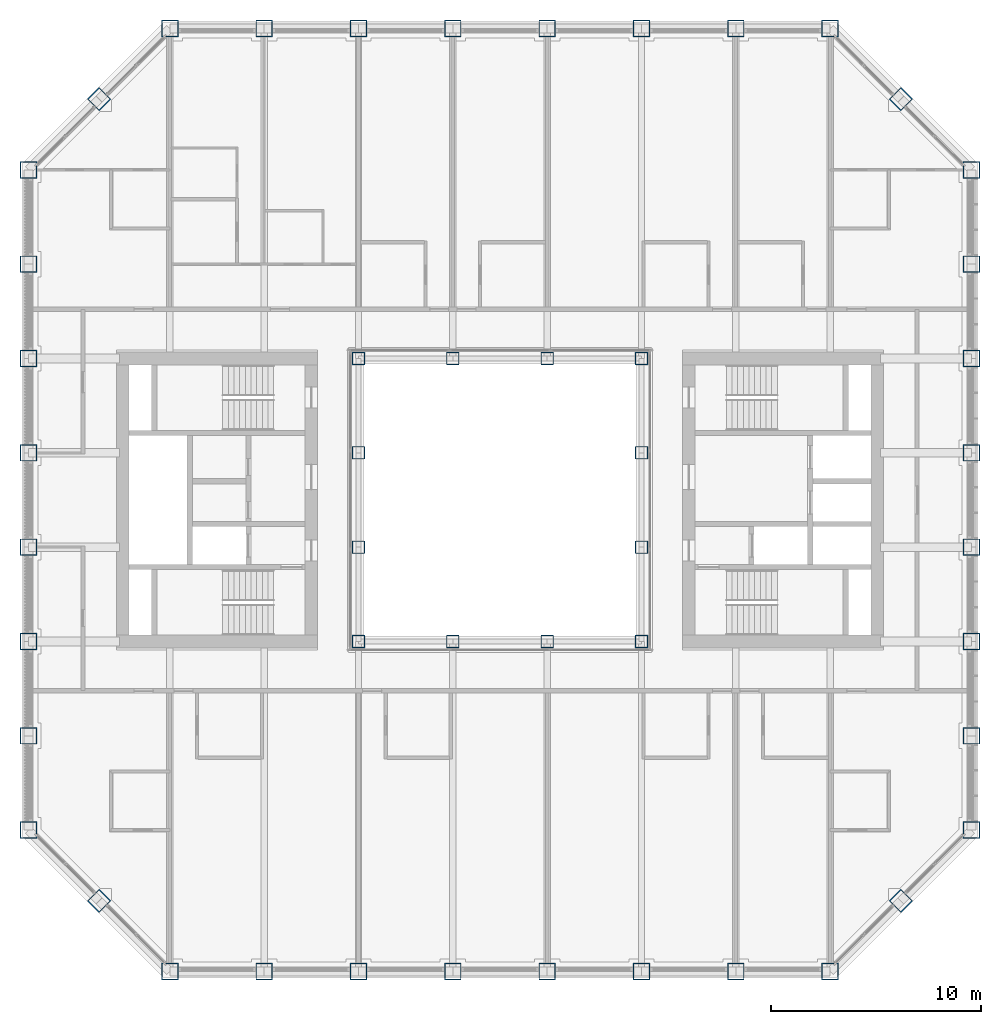
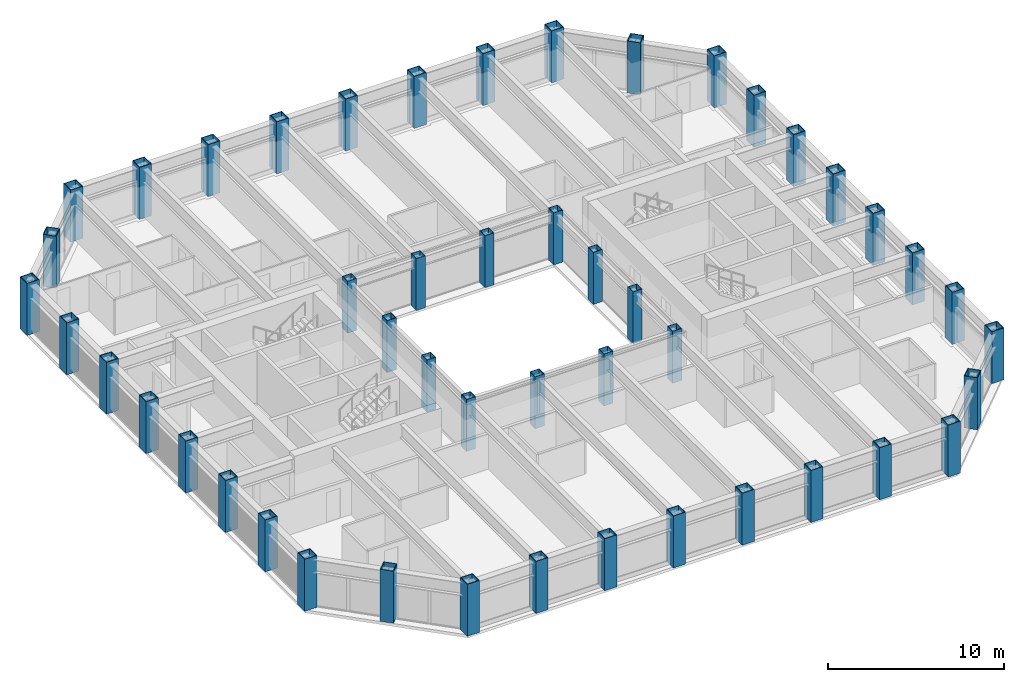
# One storey, part 1 of 17: 48 columns.
"""IFC4 building model written with IfcOpenShell, lengths in metres."""

from ifc_helpers import new_model, si_unit, direction, frame, origin, origin_2d, place, context, subcontext, project, spatial, hollow_rectangle, extrude, material, material_profile, profile_set, type_object, element, save


model = new_model("IFC4")

# Units and contexts
model_context = context("Model", 3, precision=1e-05, world=origin(), true_north=direction((0.0, 1.0)))
body_context = subcontext(model_context, "Body", "Model", "MODEL_VIEW")
ifc_project = project(units=[si_unit("LENGTHUNIT", "METRE"), si_unit("AREAUNIT", "SQUARE_METRE"), si_unit("VOLUMEUNIT", "CUBIC_METRE"), si_unit("PLANEANGLEUNIT", "RADIAN"), si_unit("MASSUNIT", "GRAM", prefix="KILO")], contexts=[model_context])

# Site, building, storey
site_placement = place(None, origin())
site = spatial("IfcSite", under=ifc_project, at=site_placement, CompositionType="ELEMENT")
building_placement = place(site_placement, origin())
building = spatial("IfcBuilding", under=site, at=building_placement, Name="Msasa Ring Tower", CompositionType="ELEMENT")
storey_placement = place(building_placement, frame((0.0, 0.0, 179.60009765625)))
storey = spatial("IfcBuildingStorey", under=building, at=storey_placement, Name="L47", CompositionType="ELEMENT", Elevation=179.60009765625)

# Columns
ifc_material_1 = material(Name="Steel S355", Category="steel")
ifc_material_profile_1 = material_profile(ifc_material_1, hollow_rectangle(XDim=0.60009765625, YDim=0.60009765625, WallThickness=0.030029296875, at=origin_2d()), Name="BOX 600x600x30")
ifc_profile_set_1 = profile_set([ifc_material_profile_1], Name="Steel S355")
column_type_1 = type_object("IfcColumnType", Name="IC5 BOX 600x600x30", PredefinedType="COLUMN", material=ifc_profile_set_1)
for number, where, z_axis, x_axis, name in (
    (1, (-6.75, -6.75, 0.0), (0.0, 0.0, 1.0), (1.0, 0.0, 0.0), "Inner ring column IR-6.75-6.75 L47"),
    (2, (-6.75, -2.25, 0.0), (0.0, 0.0, 1.0), (1.0, 0.0, 0.0), "Inner ring column IR-6.75-2.25 L47"),
    (3, (-6.75, 2.25, 0.0), (0.0, 0.0, 1.0), (1.0, 0.0, 0.0), "Inner ring column IR-6.75+2.25 L47"),
    (4, (-6.75, 6.75, 0.0), (0.0, 0.0, 1.0), (1.0, 0.0, 0.0), "Inner ring column IR-6.75+6.75 L47"),
    (5, (-2.25, -6.75, 0.0), (0.0, 0.0, 1.0), (1.0, 0.0, 0.0), "Inner ring column IR-2.25-6.75 L47"),
    (6, (-2.25, 6.75, 0.0), (0.0, 0.0, 1.0), (1.0, 0.0, 0.0), "Inner ring column IR-2.25+6.75 L47"),
    (7, (2.25, -6.75, 0.0), (0.0, 0.0, 1.0), (1.0, 0.0, 0.0), "Inner ring column IR+2.25-6.75 L47"),
    (8, (2.25, 6.75, 0.0), (0.0, 0.0, 1.0), (1.0, 0.0, 0.0), "Inner ring column IR+2.25+6.75 L47"),
    (9, (6.75, -6.75, 0.0), (0.0, 0.0, 1.0), (1.0, 0.0, 0.0), "Inner ring column IR+6.75-6.75 L47"),
    (10, (6.75, -2.25, 0.0), (0.0, 0.0, 1.0), (1.0, 0.0, 0.0), "Inner ring column IR+6.75-2.25 L47"),
    (11, (6.75, 2.25, 0.0), (0.0, 0.0, 1.0), (1.0, 0.0, 0.0), "Inner ring column IR+6.75+2.25 L47"),
    (12, (6.75, 6.75, 0.0), (0.0, 0.0, 1.0), (1.0, 0.0, 0.0), "Inner ring column IR+6.75+6.75 L47"),
):
    element("IfcColumn", number, at=place(storey_placement, frame(where, z_axis=z_axis, x_axis=x_axis)), inside=storey, type_object=column_type_1, Name=name, PredefinedType="COLUMN", context=body_context, shape_type="SweptSolid", body=[
        extrude(hollow_rectangle(XDim=0.60009765625, YDim=0.60009765625, WallThickness=0.030029296875, at=origin_2d()), origin(), (0.0, 0.0, 1.0), 3.599853515625),
    ])
ifc_material_2 = material(Name="Steel S355", Category="steel")
ifc_material_profile_2 = material_profile(ifc_material_2, hollow_rectangle(XDim=0.800048828125, YDim=0.800048828125, WallThickness=0.044921875, at=origin_2d()), Name="BOX 800x800x45")
ifc_profile_set_2 = profile_set([ifc_material_profile_2], Name="Steel S355")
column_type_2 = type_object("IfcColumnType", Name="TC5 BOX 800x800x45", PredefinedType="COLUMN", material=ifc_profile_set_2)
for number, where, z_axis, x_axis, name in (
    (13, (-15.75, -22.5, 0.0), (0.0, 0.0, 1.0), (0.0, 1.0, 0.0), "Tube column S-15.75 L47"),
    (14, (-15.75, 22.5, 0.0), (0.0, 0.0, 1.0), (0.0, 1.0, 0.0), "Tube column N-15.75 L47"),
    (15, (22.5, -15.75, 0.0), (0.0, 0.0, 1.0), (1.0, 0.0, 0.0), "Tube column E-15.75 L47"),
    (16, (-22.5, -15.75, 0.0), (0.0, 0.0, 1.0), (1.0, 0.0, 0.0), "Tube column W-15.75 L47"),
    (17, (-11.25, -22.5, 0.0), (0.0, 0.0, 1.0), (0.0, 1.0, 0.0), "Tube column S-11.25 L47"),
    (18, (-11.25, 22.5, 0.0), (0.0, 0.0, 1.0), (0.0, 1.0, 0.0), "Tube column N-11.25 L47"),
    (19, (22.5, -11.25, 0.0), (0.0, 0.0, 1.0), (1.0, 0.0, 0.0), "Tube column E-11.25 L47"),
    (20, (-22.5, -11.25, 0.0), (0.0, 0.0, 1.0), (1.0, 0.0, 0.0), "Tube column W-11.25 L47"),
    (21, (-6.75, -22.5, 0.0), (0.0, 0.0, 1.0), (0.0, 1.0, 0.0), "Tube column S-6.75 L47"),
    (22, (-6.75, 22.5, 0.0), (0.0, 0.0, 1.0), (0.0, 1.0, 0.0), "Tube column N-6.75 L47"),
    (23, (22.5, -6.75, 0.0), (0.0, 0.0, 1.0), (1.0, 0.0, 0.0), "Tube column E-6.75 L47"),
    (24, (-22.5, -6.75, 0.0), (0.0, 0.0, 1.0), (1.0, 0.0, 0.0), "Tube column W-6.75 L47"),
    (25, (-2.25, -22.5, 0.0), (0.0, 0.0, 1.0), (0.0, 1.0, 0.0), "Tube column S-2.25 L47"),
    (26, (-2.25, 22.5, 0.0), (0.0, 0.0, 1.0), (0.0, 1.0, 0.0), "Tube column N-2.25 L47"),
    (27, (22.5, -2.25, 0.0), (0.0, 0.0, 1.0), (1.0, 0.0, 0.0), "Tube column E-2.25 L47"),
    (28, (-22.5, -2.25, 0.0), (0.0, 0.0, 1.0), (1.0, 0.0, 0.0), "Tube column W-2.25 L47"),
    (29, (2.25, -22.5, 0.0), (0.0, 0.0, 1.0), (0.0, 1.0, 0.0), "Tube column S+2.25 L47"),
    (30, (2.25, 22.5, 0.0), (0.0, 0.0, 1.0), (0.0, 1.0, 0.0), "Tube column N+2.25 L47"),
    (31, (22.5, 2.25, 0.0), (0.0, 0.0, 1.0), (1.0, 0.0, 0.0), "Tube column E+2.25 L47"),
    (32, (-22.5, 2.25, 0.0), (0.0, 0.0, 1.0), (1.0, 0.0, 0.0), "Tube column W+2.25 L47"),
    (33, (6.75, -22.5, 0.0), (0.0, 0.0, 1.0), (0.0, 1.0, 0.0), "Tube column S+6.75 L47"),
    (34, (6.75, 22.5, 0.0), (0.0, 0.0, 1.0), (0.0, 1.0, 0.0), "Tube column N+6.75 L47"),
    (35, (22.5, 6.75, 0.0), (0.0, 0.0, 1.0), (1.0, 0.0, 0.0), "Tube column E+6.75 L47"),
    (36, (-22.5, 6.75, 0.0), (0.0, 0.0, 1.0), (1.0, 0.0, 0.0), "Tube column W+6.75 L47"),
    (37, (11.25, -22.5, 0.0), (0.0, 0.0, 1.0), (0.0, 1.0, 0.0), "Tube column S+11.25 L47"),
    (38, (11.25, 22.5, 0.0), (0.0, 0.0, 1.0), (0.0, 1.0, 0.0), "Tube column N+11.25 L47"),
    (39, (22.5, 11.25, 0.0), (0.0, 0.0, 1.0), (1.0, 0.0, 0.0), "Tube column E+11.25 L47"),
    (40, (-22.5, 11.25, 0.0), (0.0, 0.0, 1.0), (1.0, 0.0, 0.0), "Tube column W+11.25 L47"),
    (41, (15.75, -22.5, 0.0), (0.0, 0.0, 1.0), (0.0, 1.0, 0.0), "Tube column S+15.75 L47"),
    (42, (15.75, 22.5, 0.0), (0.0, 0.0, 1.0), (0.0, 1.0, 0.0), "Tube column N+15.75 L47"),
    (43, (22.5, 15.75, 0.0), (0.0, 0.0, 1.0), (1.0, 0.0, 0.0), "Tube column E+15.75 L47"),
    (44, (-22.5, 15.75, 0.0), (0.0, 0.0, 1.0), (1.0, 0.0, 0.0), "Tube column W+15.75 L47"),
    (45, (19.125, -19.125, 0.0), (0.0, 0.0, 1.0), (0.707106781187, -0.707106781187, 0.0), "Tube column SE L47"),
    (46, (19.125, 19.125, 0.0), (0.0, 0.0, 1.0), (0.707106781187, 0.707106781187, 0.0), "Tube column NE L47"),
    (47, (-19.125, 19.125, 0.0), (0.0, 0.0, 1.0), (0.707106781187, -0.707106781187, 0.0), "Tube column NW L47"),
    (48, (-19.125, -19.125, 0.0), (0.0, 0.0, 1.0), (0.707106781187, 0.707106781187, 0.0), "Tube column SW L47"),
):
    element("IfcColumn", number, at=place(storey_placement, frame(where, z_axis=z_axis, x_axis=x_axis)), inside=storey, type_object=column_type_2, Name=name, PredefinedType="COLUMN", context=body_context, shape_type="SweptSolid", body=[
        extrude(hollow_rectangle(XDim=0.800048828125, YDim=0.800048828125, WallThickness=0.044921875, at=origin_2d()), origin(), (0.0, 0.0, 1.0), 3.599853515625),
    ])

save(model, "model.ifc")
